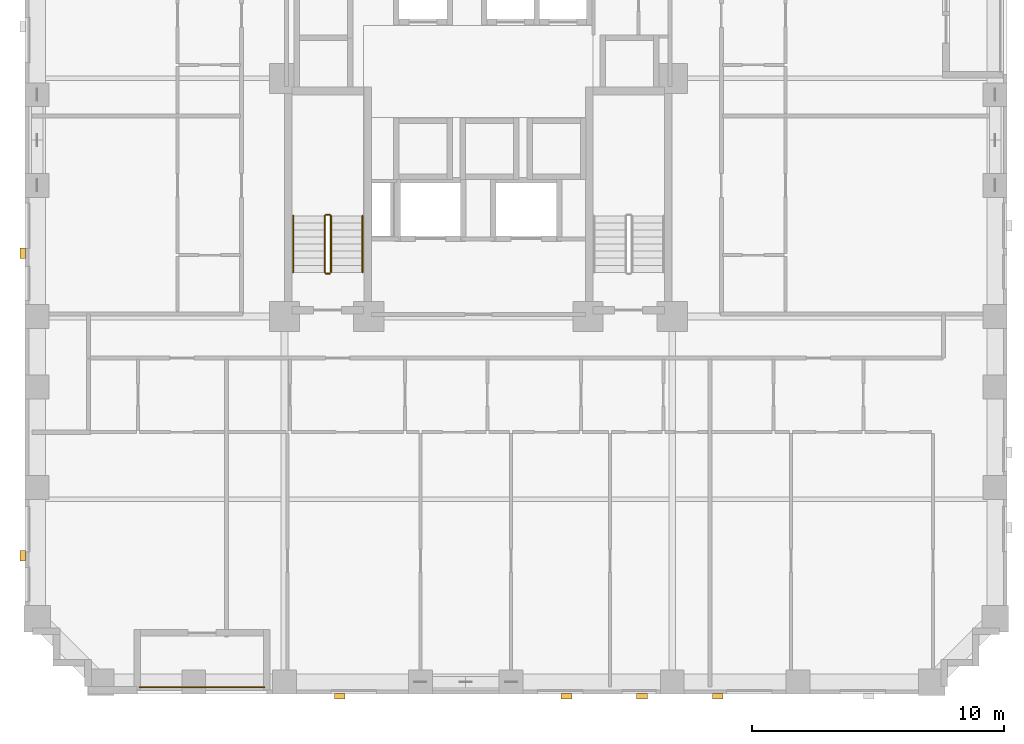
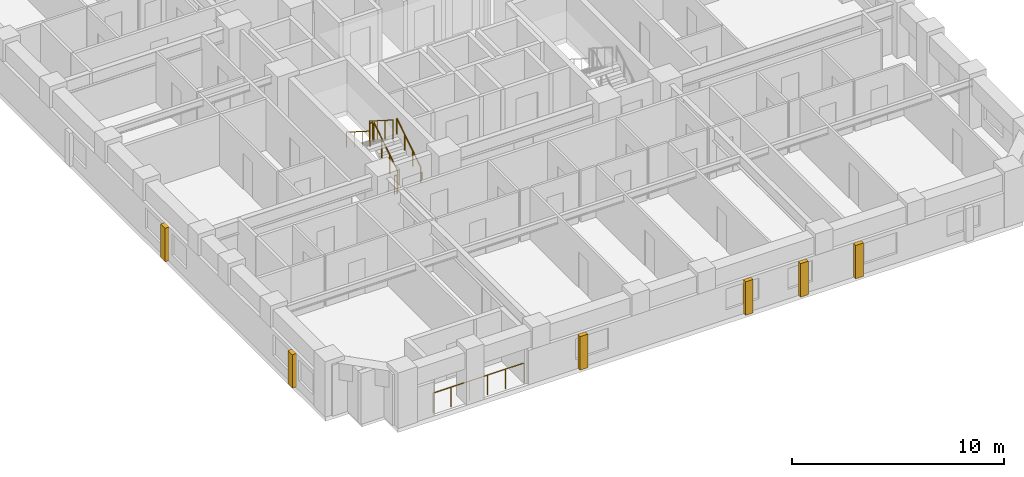
# One storey, part 11 of 13: 7 railings, 6 coverings.
"""IFC4 building model written with IfcOpenShell, lengths in metres."""

from ifc_helpers import new_model, si_unit, derived_unit, direction, frame, origin, origin_2d, place, context, subcontext, project, spatial, rectangle, circle, extrude, material, layer, layer_set, type_object, element, save


model = new_model("IFC4")

# Units and contexts
model_context = context("Model", 3, precision=1e-05, world=origin(), true_north=direction((0.0, 1.0)))
body_context = subcontext(model_context, "Body", "Model", "MODEL_VIEW")
ifc_project = project(units=[si_unit("LENGTHUNIT", "METRE"), si_unit("AREAUNIT", "SQUARE_METRE"), si_unit("VOLUMEUNIT", "CUBIC_METRE"), si_unit("PLANEANGLEUNIT", "RADIAN"), si_unit("MASSUNIT", "GRAM", prefix="KILO"), derived_unit("THERMALTRANSMITTANCEUNIT", [(si_unit("MASSUNIT", "GRAM", prefix="KILO"), 1), (si_unit("TIMEUNIT", "SECOND"), -3), (si_unit("THERMODYNAMICTEMPERATUREUNIT", "KELVIN"), -1)])], contexts=[model_context])

# Site, building, storey
site_placement = place(None, origin())
site = spatial("IfcSite", under=ifc_project, at=site_placement, CompositionType="ELEMENT")
building_placement = place(site_placement, origin())
building = spatial("IfcBuilding", under=site, at=building_placement, Name="Korrvale Station Residences", CompositionType="ELEMENT")
storey_placement = place(building_placement, frame((0.0, 0.0, 32.199951171875)))
storey = spatial("IfcBuildingStorey", under=building, at=storey_placement, Name="L07", CompositionType="ELEMENT", Elevation=32.199951171875)

# Coverings
ifc_material_1 = material(Name="Architectural precast concrete C45/55", Category="concrete")
ifc_layer = layer(ifc_material_1, 0.219970703125, Name="Architectural precast concrete C45/55")
ifc_layer_set = layer_set([ifc_layer], Name="Architectural precast concrete C45/55")
covering_type = type_object("IfcCoveringType", Name="COV-PIER-400", PredefinedType="CLADDING", material=ifc_layer_set)
for number, where, z_axis, x_axis, name in (
    (1, (35.0, -0.090087890625, 0.02490234375), (0.0, 0.0, 1.0), (1.0, 0.0, 0.0), "L07 Architectural Precast Facade Pier 02"),
    (2, (32.0, -0.090087890625, 0.02490234375), (0.0, 0.0, 1.0), (1.0, 0.0, 0.0), "L07 Architectural Precast Facade Pier 03"),
    (3, (29.0, -0.090087890625, 0.02490234375), (0.0, 0.0, 1.0), (1.0, 0.0, 0.0), "L07 Architectural Precast Facade Pier 04"),
    (4, (20.0, -0.090087890625, 0.02490234375), (0.0, 0.0, 1.0), (1.0, 0.0, 0.0), "L07 Architectural Precast Facade Pier 05"),
    (5, (7.409912109375, 5.5, 0.02490234375), (0.0, 0.0, 1.0), (0.0, 1.0, 0.0), "L07 Architectural Precast Facade Pier 12"),
    (6, (7.409912109375, 17.5, 0.02490234375), (0.0, 0.0, 1.0), (0.0, 1.0, 0.0), "L07 Architectural Precast Facade Pier 13"),
):
    element("IfcCovering", number, at=place(storey_placement, frame(where, z_axis=z_axis, x_axis=x_axis)), inside=storey, type_object=covering_type, Name=name, PredefinedType="CLADDING", context=body_context, shape_type="SweptSolid", body=[
        extrude(rectangle(XDim=0.419921875, YDim=0.219970703125, at=origin_2d()), origin(), (0.0, 0.0, 1.0), 1.925048828125),
    ])

# Railings
ifc_material_2 = material(Name="Powder-coated aluminium picket loggia guard", Category="aluminium")
railing_type_1 = type_object("IfcRailingType", Name="RLG-BAL-1150", PredefinedType="GUARDRAIL", material=ifc_material_2)
railing_1_placement = place(storey_placement, frame((12.050048828125, 0.27001953125, 0.0)))
element("IfcRailing", 7, at=railing_1_placement, inside=storey, type_object=railing_type_1, Name="L07 Recessed Loggia Guardrail BAL-L07-S1", PredefinedType="GUARDRAIL", context=body_context, shape_type="SweptSolid", body=[
    extrude(circle(Radius=0.02392578125, at=origin_2d()), frame((0.0, 0.0, 1.1259765625), z_axis=(1.0, 0.0, 0.0), x_axis=(0.0, 1.0, 0.0)), (0.0, 0.0, 1.0), 4.949951171875),
    extrude(circle(Radius=0.02099609375, at=origin_2d()), origin(), (0.0, 0.0, 1.0), 1.101806640625),
    extrude(circle(Radius=0.02099609375, at=origin_2d()), frame((0.989990234375, 0.0, 0.0)), (0.0, 0.0, 1.0), 1.101806640625),
    extrude(circle(Radius=0.02099609375, at=origin_2d()), frame((1.97998046875, 0.0, 0.0)), (0.0, 0.0, 1.0), 1.101806640625),
    extrude(circle(Radius=0.02099609375, at=origin_2d()), frame((2.969970703125, 0.0, 0.0)), (0.0, 0.0, 1.0), 1.101806640625),
    extrude(circle(Radius=0.02099609375, at=origin_2d()), frame((3.9599609375, 0.0, 0.0)), (0.0, 0.0, 1.0), 1.101806640625),
    extrude(circle(Radius=0.02099609375, at=origin_2d()), frame((4.949951171875, 0.0, 0.0)), (0.0, 0.0, 1.0), 1.101806640625),
])
ifc_material_3 = material(Name="Brushed stainless-steel continuous stair handrail", Category="steel")
railing_type_2 = type_object("IfcRailingType", Name="RLG-SHND-900", PredefinedType="HANDRAIL", material=ifc_material_3)
railing_2_placement = place(storey_placement, frame((20.89990234375, 16.75, 0.177734375)))
element("IfcRailing", 8, at=railing_2_placement, inside=storey, type_object=railing_type_2, Name="L07 ST-1 stair handrail 1", PredefinedType="HANDRAIL", context=body_context, shape_type="SweptSolid", body=[
    extrude(circle(Radius=0.02392578125, at=origin_2d()), frame((0.0, 0.0, 0.8759765625), z_axis=(0.0, 0.84418770128, 0.536047689118), x_axis=(-1.0, 0.0, 0.0)), (0.0, 0.0, 1.0), 2.6533203125),
    extrude(circle(Radius=0.02099609375, at=origin_2d()), origin(), (0.0, 0.0, 1.0), 0.851806640625),
    extrude(circle(Radius=0.02099609375, at=origin_2d()), frame((0.0, 0.74658203125, 0.47412109375)), (0.0, 0.0, 1.0), 0.851806640625),
    extrude(circle(Radius=0.02099609375, at=origin_2d()), frame((0.0, 1.493408203125, 0.9482421875)), (0.0, 0.0, 1.0), 0.851806640625),
    extrude(circle(Radius=0.02099609375, at=origin_2d()), frame((0.0, 2.239990234375, 1.42236328125)), (0.0, 0.0, 1.0), 0.851806640625),
])
railing_3_placement = place(storey_placement, frame((18.14990234375, 18.989990234375, 1.77783203125)))
element("IfcRailing", 9, at=railing_3_placement, inside=storey, type_object=railing_type_2, Name="L07 ST-1 stair handrail 2", PredefinedType="HANDRAIL", context=body_context, shape_type="SweptSolid", body=[
    extrude(circle(Radius=0.02392578125, at=origin_2d()), frame((0.0, 0.0, 0.8759765625), z_axis=(0.0, -0.8442293374, 0.53598211339), x_axis=(1.0, 0.0, 0.0)), (0.0, 0.0, 1.0), 2.6533203125),
    extrude(circle(Radius=0.02099609375, at=origin_2d()), origin(), (0.0, 0.0, 1.0), 0.851806640625),
    extrude(circle(Radius=0.02099609375, at=origin_2d()), frame((0.0, -0.74658203125, 0.47412109375)), (0.0, 0.0, 1.0), 0.851806640625),
    extrude(circle(Radius=0.02099609375, at=origin_2d()), frame((0.0, -1.493408203125, 0.947998046875)), (0.0, 0.0, 1.0), 0.851806640625),
    extrude(circle(Radius=0.02099609375, at=origin_2d()), frame((0.0, -2.239990234375, 1.422119140625)), (0.0, 0.0, 1.0), 0.851806640625),
])
ifc_material_4 = material(Name="Galvanised painted tubular steel stair guard", Category="steel")
railing_type_3 = type_object("IfcRailingType", Name="RLG-STR-1100", PredefinedType="GUARDRAIL", material=ifc_material_4)
railing_4_placement = place(storey_placement, frame((19.64990234375, 16.75, 0.177734375)))
element("IfcRailing", 10, at=railing_4_placement, inside=storey, type_object=railing_type_3, Name="L07 ST-1 stair guard 1", PredefinedType="GUARDRAIL", context=body_context, shape_type="SweptSolid", body=[
    extrude(circle(Radius=0.02392578125, at=origin_2d()), frame((0.0, 0.0, 1.076171875), z_axis=(0.0, 0.84418770128, 0.536047689118), x_axis=(-1.0, 0.0, 0.0)), (0.0, 0.0, 1.0), 2.6533203125),
    extrude(circle(Radius=0.02099609375, at=origin_2d()), origin(), (0.0, 0.0, 1.0), 1.052001953125),
    extrude(circle(Radius=0.02099609375, at=origin_2d()), frame((0.0, 0.74658203125, 0.47412109375)), (0.0, 0.0, 1.0), 1.052001953125),
    extrude(circle(Radius=0.02099609375, at=origin_2d()), frame((0.0, 1.493408203125, 0.9482421875)), (0.0, 0.0, 1.0), 1.052001953125),
    extrude(circle(Radius=0.02099609375, at=origin_2d()), frame((0.0, 2.239990234375, 1.42236328125)), (0.0, 0.0, 1.0), 1.052001953125),
])
railing_5_placement = place(storey_placement, frame((19.60009765625, 19.0400390625, 1.60009765625)))
element("IfcRailing", 11, at=railing_5_placement, inside=storey, type_object=railing_type_3, Name="L07 ST-1 stair guard 2", PredefinedType="GUARDRAIL", context=body_context, shape_type="SweptSolid", body=[
    extrude(circle(Radius=0.02392578125, at=origin_2d()), frame((0.0, 0.0, 1.076171875), z_axis=(-1.0, 0.0, 0.0), x_axis=(0.0, -1.0, 0.0)), (0.0, 0.0, 1.0), 0.150146484375),
    extrude(circle(Radius=0.02099609375, at=origin_2d()), origin(), (0.0, 0.0, 1.0), 1.052001953125),
    extrude(circle(Radius=0.02099609375, at=origin_2d()), frame((-0.150146484375, 0.0, 0.0)), (0.0, 0.0, 1.0), 1.052001953125),
])
railing_6_placement = place(storey_placement, frame((19.39990234375, 18.989990234375, 1.77783203125)))
element("IfcRailing", 12, at=railing_6_placement, inside=storey, type_object=railing_type_3, Name="L07 ST-1 stair guard 3", PredefinedType="GUARDRAIL", context=body_context, shape_type="SweptSolid", body=[
    extrude(circle(Radius=0.02392578125, at=origin_2d()), frame((0.0, 0.0, 1.076171875), z_axis=(0.0, -0.8442293374, 0.53598211339), x_axis=(1.0, 0.0, 0.0)), (0.0, 0.0, 1.0), 2.6533203125),
    extrude(circle(Radius=0.02099609375, at=origin_2d()), origin(), (0.0, 0.0, 1.0), 1.052001953125),
    extrude(circle(Radius=0.02099609375, at=origin_2d()), frame((0.0, -0.74658203125, 0.47412109375)), (0.0, 0.0, 1.0), 1.052001953125),
    extrude(circle(Radius=0.02099609375, at=origin_2d()), frame((0.0, -1.493408203125, 0.947998046875)), (0.0, 0.0, 1.0), 1.052001953125),
    extrude(circle(Radius=0.02099609375, at=origin_2d()), frame((0.0, -2.239990234375, 1.422119140625)), (0.0, 0.0, 1.0), 1.052001953125),
])
railing_7_placement = place(storey_placement, frame((19.60009765625, 16.699951171875, 0.0)))
element("IfcRailing", 13, at=railing_7_placement, inside=storey, type_object=railing_type_3, Name="L07 ST-1 stair guard 4", PredefinedType="GUARDRAIL", context=body_context, shape_type="SweptSolid", body=[
    extrude(circle(Radius=0.02392578125, at=origin_2d()), frame((0.0, 0.0, 1.076171875), z_axis=(-1.0, 0.0, 0.0), x_axis=(0.0, -1.0, 0.0)), (0.0, 0.0, 1.0), 0.150146484375),
    extrude(circle(Radius=0.02099609375, at=origin_2d()), origin(), (0.0, 0.0, 1.0), 1.052001953125),
    extrude(circle(Radius=0.02099609375, at=origin_2d()), frame((-0.150146484375, 0.0, 0.0)), (0.0, 0.0, 1.0), 1.052001953125),
])

save(model, "model.ifc")
